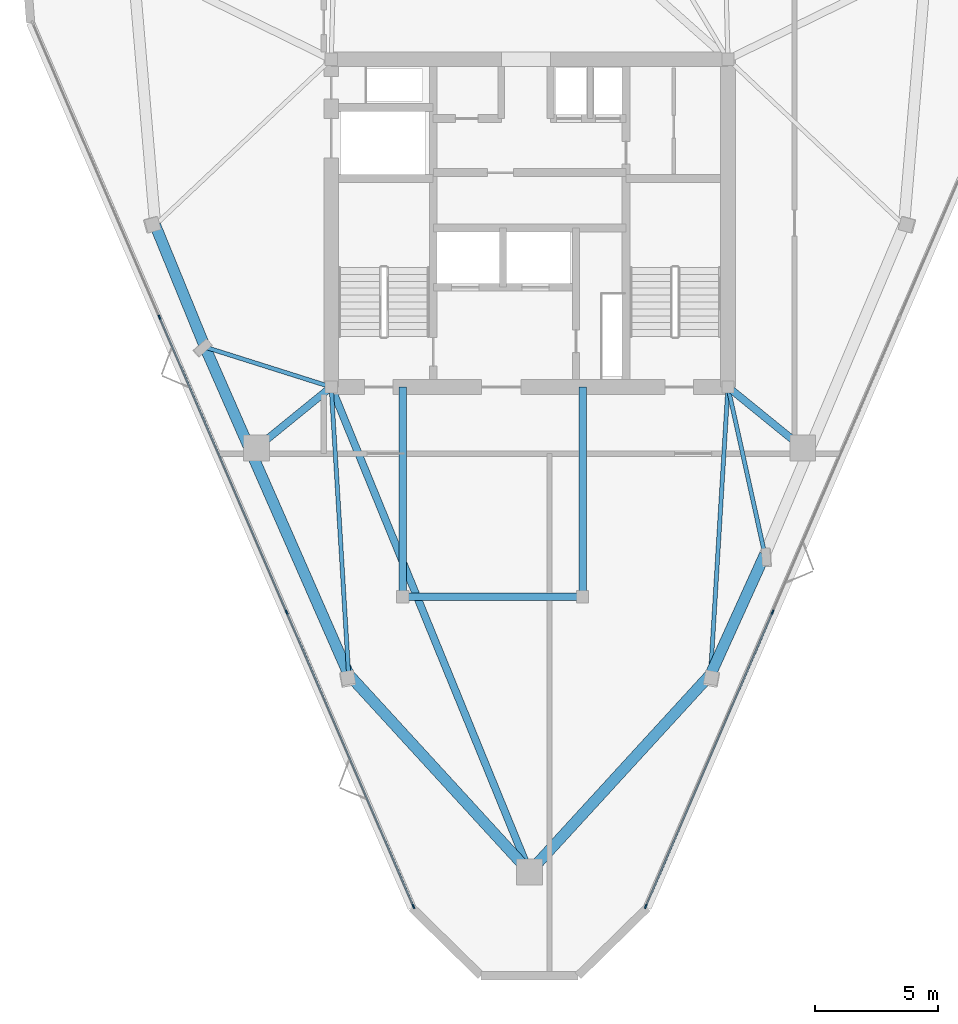
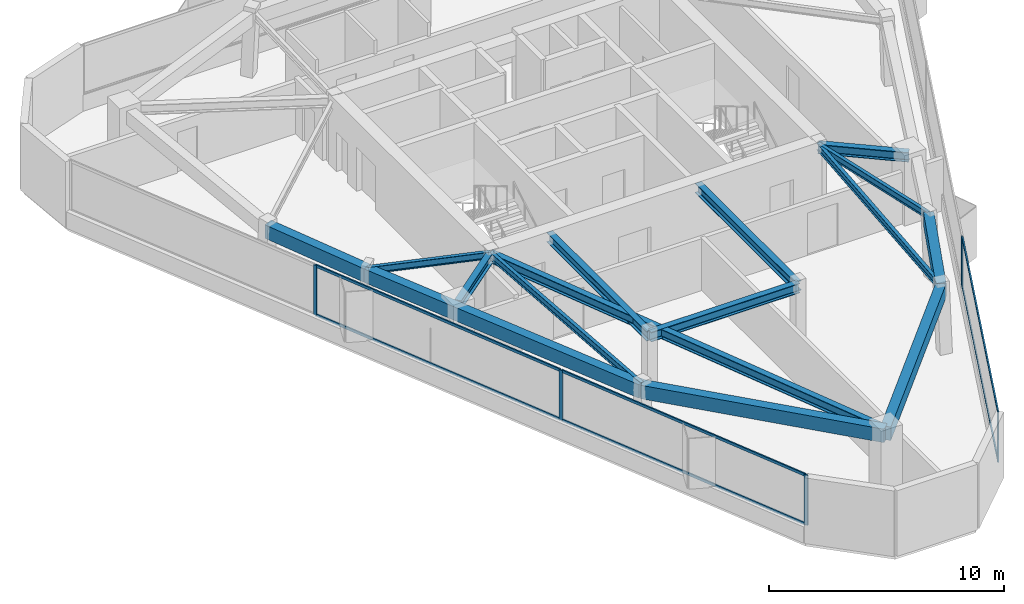
# One storey, part 2 of 9: 15 beams, 11 members, 2 elements without a shape of their own.
"""IFC4 building model written with IfcOpenShell, lengths in metres."""

from ifc_helpers import new_model, si_unit, direction, frame, origin, origin_2d, place, context, subcontext, project, spatial, rectangle, i_section, extrude, material, layer, layer_set, material_profile, profile_set, type_object, element, aggregate, save


model = new_model("IFC4")

# Units and contexts
model_context = context("Model", 3, precision=1e-05, world=origin(), true_north=direction((0.0, 1.0)))
body_context = subcontext(model_context, "Body", "Model", "MODEL_VIEW")
ifc_project = project(units=[si_unit("LENGTHUNIT", "METRE"), si_unit("AREAUNIT", "SQUARE_METRE"), si_unit("VOLUMEUNIT", "CUBIC_METRE"), si_unit("PLANEANGLEUNIT", "RADIAN"), si_unit("MASSUNIT", "GRAM", prefix="KILO")], contexts=[model_context])

# Site, building, storey
site_placement = place(None, origin())
site = spatial("IfcSite", under=ifc_project, at=site_placement, CompositionType="ELEMENT")
building_placement = place(site_placement, origin())
building = spatial("IfcBuilding", under=site, at=building_placement, Name="Talyreon Biosciences Tower", CompositionType="ELEMENT")
storey_placement = place(building_placement, frame((0.0, 0.0, 309.35009765625)))
storey = spatial("IfcBuildingStorey", under=building, at=storey_placement, Name="L82", CompositionType="ELEMENT", Elevation=309.35009765625)

# Curtain wall, members
ifc_material_1 = material(Name="Thermally broken aluminium and low-E glazing", Category="aluminium")
ifc_layer = layer(ifc_material_1, 0.175048828125)
ifc_layer_set = layer_set([ifc_layer], Name="Thermally broken aluminium and low-E glazing")
curtain_wall_type = type_object("IfcCurtainWallType", Name="CurtainWall_Zone5CompLab", PredefinedType="NOTDEFINED", material=ifc_layer_set)
curtain_wall_1_placement = place(storey_placement, origin())
curtain_wall_1 = element("IfcCurtainWall", 1, at=curtain_wall_1_placement, inside=storey, type_object=curtain_wall_type, Name="L82 Unitised Curtain Wall FCW-L82-00", PredefinedType="NOTDEFINED")
ifc_material_2 = material(Name="Anodised thermally broken aluminium", Category="aluminium")
ifc_material_profile_1 = material_profile(ifc_material_2, rectangle(XDim=0.06494140625, YDim=0.179931640625, at=origin_2d()), Name="ALUM MULLION 65x180")
ifc_profile_set_1 = profile_set([ifc_material_profile_1], Name="Anodised thermally broken aluminium")
member_type_1 = type_object("IfcMemberType", Name="CWMullion_65x180", PredefinedType="MULLION", material=ifc_profile_set_1)
member_1_placement = place(storey_placement, frame((61.28515625, 40.27099609375, 0.809814453125), z_axis=(0.0, 0.0, 1.0), x_axis=(-0.918363311246, -0.395738333444, 0.0)))
member_1 = element("IfcMember", 2, at=member_1_placement, type_object=member_type_1, Name="CW6 mullion 1", PredefinedType="MULLION", context=body_context, shape_type="SweptSolid", body=[
    extrude(rectangle(XDim=0.06494140625, YDim=0.179931640625, at=origin_2d()), origin(), (0.0, 0.0, 1.0), 2.60498046875),
])
member_2_placement = place(storey_placement, frame((56.138916015625, 52.213134765625, 0.809814453125), z_axis=(0.0, 0.0, 1.0), x_axis=(-0.918363311246, -0.395738333444, 0.0)))
member_2 = element("IfcMember", 3, at=member_2_placement, type_object=member_type_1, Name="CW6 mullion 2", PredefinedType="MULLION", context=body_context, shape_type="SweptSolid", body=[
    extrude(rectangle(XDim=0.06494140625, YDim=0.179931640625, at=origin_2d()), origin(), (0.0, 0.0, 1.0), 2.60498046875),
])
member_3_placement = place(storey_placement, frame((50.97998046875, 64.185302734375, 0.809814453125), z_axis=(0.0, 0.0, 1.0), x_axis=(-0.918363311246, -0.395738333444, 0.0)))
member_3 = element("IfcMember", 4, at=member_3_placement, type_object=member_type_1, Name="CW6 mullion 3", PredefinedType="MULLION", context=body_context, shape_type="SweptSolid", body=[
    extrude(rectangle(XDim=0.06494140625, YDim=0.179931640625, at=origin_2d()), origin(), (0.0, 0.0, 1.0), 2.60498046875),
])

curtain_wall_2_placement = place(storey_placement, origin())
curtain_wall_2 = element("IfcCurtainWall", 5, at=curtain_wall_2_placement, inside=storey, type_object=curtain_wall_type, Name="L82 Unitised Curtain Wall FCW-L82-08", PredefinedType="NOTDEFINED")
member_4_placement = place(storey_placement, frame((75.861083984375, 52.213134765625, 0.809814453125), z_axis=(0.0, 0.0, 1.0), x_axis=(0.918363311246, -0.395738333444, 0.0)))
member_4 = element("IfcMember", 6, at=member_4_placement, type_object=member_type_1, Name="CW6 mullion 3", PredefinedType="MULLION", context=body_context, shape_type="SweptSolid", body=[
    extrude(rectangle(XDim=0.06494140625, YDim=0.179931640625, at=origin_2d()), origin(), (0.0, 0.0, 1.0), 2.60498046875),
])
member_5_placement = place(storey_placement, frame((70.71484375, 40.27099609375, 0.809814453125), z_axis=(0.0, 0.0, 1.0), x_axis=(0.918363311246, -0.395738333444, 0.0)))
member_5 = element("IfcMember", 7, at=member_5_placement, type_object=member_type_1, Name="CW6 mullion 4", PredefinedType="MULLION", context=body_context, shape_type="SweptSolid", body=[
    extrude(rectangle(XDim=0.06494140625, YDim=0.179931640625, at=origin_2d()), origin(), (0.0, 0.0, 1.0), 2.60498046875),
])

# Member
ifc_material_profile_2 = material_profile(ifc_material_2, rectangle(XDim=0.06494140625, YDim=0.139892578125, at=origin_2d()), Name="ALUM TRANSOM 65x140")
ifc_profile_set_2 = profile_set([ifc_material_profile_2], Name="Anodised thermally broken aluminium")
member_type_2 = type_object("IfcMemberType", Name="CWTransom_65x140", PredefinedType="USERDEFINED", material=ifc_profile_set_2)
member_6_placement = place(storey_placement, frame((61.272216796875, 40.30078125, 0.84228515625), z_axis=(-0.395735791356, 0.918364406671, 0.0), x_axis=(-0.918364406671, -0.395735791356, 0.0)))
member_6 = element("IfcMember", 8, at=member_6_placement, type_object=member_type_2, Name="CW6 transom 1.1", ObjectType="TRANSOM", PredefinedType="USERDEFINED", context=body_context, shape_type="SweptSolid", body=[
    extrude(rectangle(XDim=0.06494140625, YDim=0.139892578125, at=origin_2d()), origin(), (0.0, 0.0, 1.0), 12.938720703125),
])

member_7_placement = place(storey_placement, frame((61.272216796875, 40.30078125, 3.38232421875), z_axis=(-0.395735791356, 0.918364406671, 0.0), x_axis=(-0.918364406671, -0.395735791356, 0.0)))
member_7 = element("IfcMember", 9, at=member_7_placement, type_object=member_type_2, Name="CW6 transom 1.2", ObjectType="TRANSOM", PredefinedType="USERDEFINED", context=body_context, shape_type="SweptSolid", body=[
    extrude(rectangle(XDim=0.06494140625, YDim=0.139892578125, at=origin_2d()), origin(), (0.0, 0.0, 1.0), 12.938720703125),
])

member_8_placement = place(storey_placement, frame((56.126220703125, 52.242919921875, 0.84228515625), z_axis=(-0.395742593834, 0.91836147536, 0.0), x_axis=(-0.91836147536, -0.395742593834, 0.0)))
member_8 = element("IfcMember", 10, at=member_8_placement, type_object=member_type_2, Name="CW6 transom 2.1", ObjectType="TRANSOM", PredefinedType="USERDEFINED", context=body_context, shape_type="SweptSolid", body=[
    extrude(rectangle(XDim=0.06494140625, YDim=0.139892578125, at=origin_2d()), origin(), (0.0, 0.0, 1.0), 12.97119140625),
])

member_9_placement = place(storey_placement, frame((56.126220703125, 52.242919921875, 3.38232421875), z_axis=(-0.395742593834, 0.91836147536, 0.0), x_axis=(-0.91836147536, -0.395742593834, 0.0)))
member_9 = element("IfcMember", 11, at=member_9_placement, type_object=member_type_2, Name="CW6 transom 2.2", ObjectType="TRANSOM", PredefinedType="USERDEFINED", context=body_context, shape_type="SweptSolid", body=[
    extrude(rectangle(XDim=0.06494140625, YDim=0.139892578125, at=origin_2d()), origin(), (0.0, 0.0, 1.0), 12.97119140625),
])

aggregate(curtain_wall_1, [member_1, member_2, member_3, member_6, member_7, member_8, member_9])

member_10_placement = place(storey_placement, frame((75.84814453125, 52.183349609375, 0.84228515625), z_axis=(-0.395735791356, -0.918364406671, 0.0), x_axis=(0.918364406671, -0.395735791356, 0.0)))
member_10 = element("IfcMember", 12, at=member_10_placement, type_object=member_type_2, Name="CW6 transom 3.1", ObjectType="TRANSOM", PredefinedType="USERDEFINED", context=body_context, shape_type="SweptSolid", body=[
    extrude(rectangle(XDim=0.06494140625, YDim=0.139892578125, at=origin_2d()), origin(), (0.0, 0.0, 1.0), 12.938720703125),
])

member_11_placement = place(storey_placement, frame((75.84814453125, 52.183349609375, 3.38232421875), z_axis=(-0.395735791356, -0.918364406671, 0.0), x_axis=(0.918364406671, -0.395735791356, 0.0)))
member_11 = element("IfcMember", 13, at=member_11_placement, type_object=member_type_2, Name="CW6 transom 3.2", ObjectType="TRANSOM", PredefinedType="USERDEFINED", context=body_context, shape_type="SweptSolid", body=[
    extrude(rectangle(XDim=0.06494140625, YDim=0.139892578125, at=origin_2d()), origin(), (0.0, 0.0, 1.0), 12.938720703125),
])

aggregate(curtain_wall_2, [member_4, member_5, member_10, member_11])

# Beams
ifc_material_3 = material(Name="Precast concrete C45/55", Category="concrete")
ifc_material_profile_3 = material_profile(ifc_material_3, rectangle(XDim=0.449951171875, YDim=0.699951171875, at=origin_2d()), Name="RCB 450x700")
ifc_profile_set_3 = profile_set([ifc_material_profile_3], Name="Precast concrete C45/55")
beam_type_1 = type_object("IfcBeamType", Name="ExpressedSpandrel_450x700", PredefinedType="SPANDREL", material=ifc_profile_set_3)
beam_1_placement = place(storey_placement, frame((66.0, 41.6669921875, 3.06494140625), z_axis=(0.675529349441, 0.737333098432, 0.0), x_axis=(-0.737333098432, 0.675529349441, 0.0)))
element("IfcBeam", 14, at=beam_1_placement, inside=storey, type_object=beam_type_1, Name="L82 Expressed Horizontal Concrete Spandrel 01", PredefinedType="SPANDREL", context=body_context, shape_type="SweptSolid", body=[
    extrude(rectangle(XDim=0.449951171875, YDim=0.699951171875, at=origin_2d()), origin(), (0.0, 0.0, 1.0), 10.87109375),
])
for number, where, z_axis, x_axis, name in (
    (15, (73.34375, 49.6826171875, 3.06494140625), (0.412584762602, 0.91091921358, 0.0), (-0.91091921358, 0.412584762602, 0.0), "L82 Expressed Horizontal Concrete Spandrel 02"),
    (16, (50.80419921875, 67.920166015625, 3.06494140625), (0.378206101845, -0.925721418423, 0.0), (0.925721418423, 0.378206101845, 0.0), "L82 Expressed Horizontal Concrete Spandrel 10"),
):
    element("IfcBeam", number, at=place(storey_placement, frame(where, z_axis=z_axis, x_axis=x_axis)), inside=storey, type_object=beam_type_1, Name=name, PredefinedType="SPANDREL", context=body_context, shape_type="SweptSolid", body=[
        extrude(rectangle(XDim=0.449951171875, YDim=0.699951171875, at=origin_2d()), origin(), (0.0, 0.0, 1.0), 5.346923828125),
    ])
beam_2_placement = place(storey_placement, frame((52.826416015625, 62.970458984375, 3.06494140625), z_axis=(0.40176744646, -0.915741731584, 0.0), x_axis=(0.915741731584, 0.40176744646, 0.0)))
element("IfcBeam", 17, at=beam_2_placement, inside=storey, type_object=beam_type_1, Name="L82 Expressed Horizontal Concrete Spandrel 11", PredefinedType="SPANDREL", context=body_context, shape_type="SweptSolid", body=[
    extrude(rectangle(XDim=0.449951171875, YDim=0.699951171875, at=origin_2d()), origin(), (0.0, 0.0, 1.0), 14.510498046875),
])
beam_3_placement = place(storey_placement, frame((58.65625, 49.6826171875, 3.06494140625), z_axis=(0.675529349441, -0.737333098432, 0.0), x_axis=(0.737333098432, 0.675529349441, 0.0)))
element("IfcBeam", 18, at=beam_3_placement, inside=storey, type_object=beam_type_1, Name="L82 Expressed Horizontal Concrete Spandrel 12", PredefinedType="SPANDREL", context=body_context, shape_type="SweptSolid", body=[
    extrude(rectangle(XDim=0.449951171875, YDim=0.699951171875, at=origin_2d()), origin(), (0.0, 0.0, 1.0), 10.87109375),
])
ifc_material_4 = material(Name="Steel SM355", Category="steel")
ifc_material_profile_4 = material_profile(ifc_material_4, i_section(OverallWidth=0.300048828125, OverallDepth=0.5, WebThickness=0.014404296875, FlangeThickness=0.028076171875, FilletRadius=0.027099609375, at=origin_2d()), Name="HE500B")
ifc_profile_set_4 = profile_set([ifc_material_profile_4], Name="Steel SM355")
beam_type_2 = type_object("IfcBeamType", Name="SteelBeam_HE500B", PredefinedType="BEAM", material=ifc_profile_set_4)
beam_4_placement = place(storey_placement, frame((57.949951171875, 61.35009765625, 3.164794921875), z_axis=(0.378547014545, -0.925582064314, 0.0), x_axis=(0.925582064314, 0.378547014545, 0.0)))
element("IfcBeam", 19, at=beam_4_placement, inside=storey, type_object=beam_type_2, Name="L82 Radial Primary Girder 1", PredefinedType="BEAM", context=body_context, shape_type="SweptSolid", body=[
    extrude(i_section(OverallWidth=0.300048828125, OverallDepth=0.5, WebThickness=0.014404296875, FlangeThickness=0.028076171875, FilletRadius=0.027099609375, at=origin_2d()), origin(), (0.0, 0.0, 1.0), 21.265625),
])
for number, where, z_axis, x_axis, name in (
    (20, (74.050048828125, 61.35009765625, 3.164794921875), (0.775755154013, -0.631034025249, 0.0), (0.631034025249, 0.775755154013, 0.0), "L82 Radial Primary Girder 2"),
    (21, (57.949951171875, 61.35009765625, 3.164794921875), (-0.775755154013, -0.631034025249, 0.0), (0.631034025249, -0.775755154013, 0.0), "L82 Radial Primary Girder 6"),
):
    element("IfcBeam", number, at=place(storey_placement, frame(where, z_axis=z_axis, x_axis=x_axis)), inside=storey, type_object=beam_type_2, Name=name, PredefinedType="BEAM", context=body_context, shape_type="SweptSolid", body=[
        extrude(i_section(OverallWidth=0.300048828125, OverallDepth=0.5, WebThickness=0.014404296875, FlangeThickness=0.028076171875, FilletRadius=0.027099609375, at=origin_2d()), origin(), (0.0, 0.0, 1.0), 3.913818359375),
    ])
beam_5_placement = place(storey_placement, frame((60.85009765625, 52.840087890625, 3.164794921875), z_axis=(1.0, 0.0, 0.0), x_axis=(0.0, 1.0, 0.0)))
element("IfcBeam", 22, at=beam_5_placement, inside=storey, type_object=beam_type_2, Name="L82 Crown Shaft Spine Girder S", PredefinedType="BEAM", context=body_context, shape_type="SweptSolid", body=[
    extrude(i_section(OverallWidth=0.300048828125, OverallDepth=0.5, WebThickness=0.014404296875, FlangeThickness=0.028076171875, FilletRadius=0.027099609375, at=origin_2d()), origin(), (0.0, 0.0, 1.0), 7.2998046875),
])
for number, where, z_axis, x_axis, name in (
    (23, (60.85009765625, 52.840087890625, 3.164794921875), (0.0, 1.0, 0.0), (-1.0, 0.0, 0.0), "L82 Crown Shaft Tie Girder W"),
    (24, (68.14990234375, 52.840087890625, 3.164794921875), (0.0, 1.0, 0.0), (-1.0, 0.0, 0.0), "L82 Crown Shaft Tie Girder E"),
):
    element("IfcBeam", number, at=place(storey_placement, frame(where, z_axis=z_axis, x_axis=x_axis)), inside=storey, type_object=beam_type_2, Name=name, PredefinedType="BEAM", context=body_context, shape_type="SweptSolid", body=[
        extrude(i_section(OverallWidth=0.300048828125, OverallDepth=0.5, WebThickness=0.014404296875, FlangeThickness=0.028076171875, FilletRadius=0.027099609375, at=origin_2d()), origin(), (0.0, 0.0, 1.0), 8.510009765625),
    ])
ifc_material_profile_5 = material_profile(ifc_material_4, i_section(OverallWidth=0.169921875, OverallDepth=0.360107421875, WebThickness=0.008056640625, FlangeThickness=0.0126953125, FilletRadius=0.01806640625, at=origin_2d()), Name="IPE360")
ifc_profile_set_5 = profile_set([ifc_material_profile_5], Name="Steel SM355")
beam_type_3 = type_object("IfcBeamType", Name="SteelJoist_IPE360", PredefinedType="JOIST", material=ifc_profile_set_5)
beam_6_placement = place(storey_placement, frame((74.050048828125, 61.35009765625, 3.23486328125), z_axis=(-0.060425062286, -0.998172736478, 0.0), x_axis=(0.998172736478, -0.060425062286, 0.0)))
element("IfcBeam", 25, at=beam_6_placement, inside=storey, type_object=beam_type_3, Name="L82 Radial Composite Floor Joist PC-SE1", PredefinedType="JOIST", context=body_context, shape_type="SweptSolid", body=[
    extrude(i_section(OverallWidth=0.169921875, OverallDepth=0.360107421875, WebThickness=0.008056640625, FlangeThickness=0.0126953125, FilletRadius=0.01806640625, at=origin_2d()), origin(), (0.0, 0.0, 1.0), 11.688720703125),
])
beam_7_placement = place(storey_placement, frame((74.050048828125, 61.35009765625, 3.23486328125), z_axis=(0.215470649337, -0.976510317034, 0.0), x_axis=(0.976510317034, 0.215470649337, 0.0)))
element("IfcBeam", 26, at=beam_7_placement, inside=storey, type_object=beam_type_3, Name="L82 Radial Composite Floor Joist PL-SE", PredefinedType="JOIST", context=body_context, shape_type="SweptSolid", body=[
    extrude(i_section(OverallWidth=0.169921875, OverallDepth=0.360107421875, WebThickness=0.008056640625, FlangeThickness=0.0126953125, FilletRadius=0.01806640625, at=origin_2d()), origin(), (0.0, 0.0, 1.0), 6.96044921875),
])
beam_8_placement = place(storey_placement, frame((57.949951171875, 61.35009765625, 3.23486328125), z_axis=(-0.953454176233, 0.301537947568, 0.0), x_axis=(-0.301537947568, -0.953454176233, 0.0)))
element("IfcBeam", 27, at=beam_8_placement, inside=storey, type_object=beam_type_3, Name="L82 Radial Composite Floor Joist PL-SW", PredefinedType="JOIST", context=body_context, shape_type="SweptSolid", body=[
    extrude(i_section(OverallWidth=0.169921875, OverallDepth=0.360107421875, WebThickness=0.008056640625, FlangeThickness=0.0126953125, FilletRadius=0.01806640625, at=origin_2d()), origin(), (0.0, 0.0, 1.0), 5.37353515625),
])
beam_9_placement = place(storey_placement, frame((57.949951171875, 61.35009765625, 3.23486328125), z_axis=(0.060425062286, -0.998172736478, 0.0), x_axis=(0.998172736478, 0.060425062286, 0.0)))
element("IfcBeam", 28, at=beam_9_placement, inside=storey, type_object=beam_type_3, Name="L82 Radial Composite Floor Joist PC-SW2", PredefinedType="JOIST", context=body_context, shape_type="SweptSolid", body=[
    extrude(i_section(OverallWidth=0.169921875, OverallDepth=0.360107421875, WebThickness=0.008056640625, FlangeThickness=0.0126953125, FilletRadius=0.01806640625, at=origin_2d()), origin(), (0.0, 0.0, 1.0), 11.688720703125),
])

save(model, "model.ifc")
